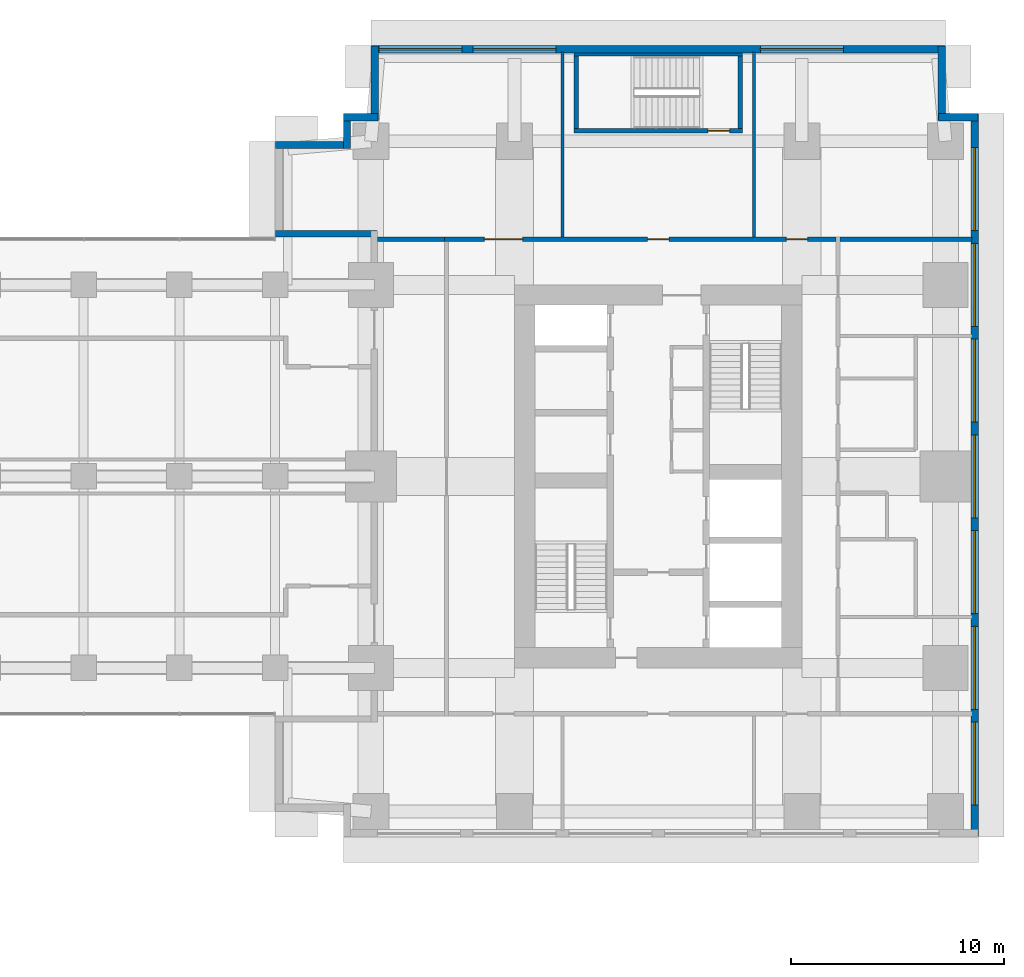
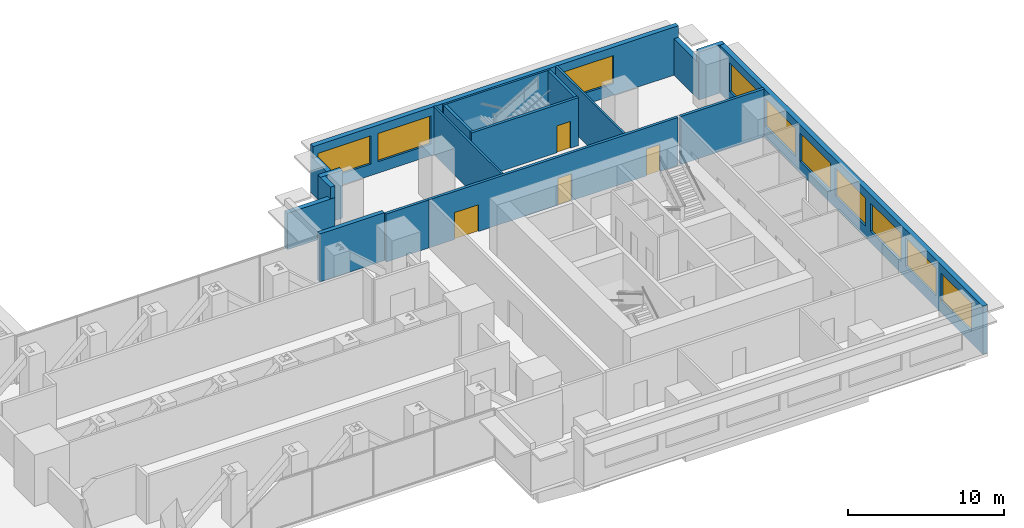
# One storey, part 12 of 16: 18 walls, 10 windows, 4 doors, 14 openings.
"""IFC4 building model written with IfcOpenShell, lengths in metres."""

from ifc_helpers import new_model, si_unit, direction, frame, frame_2d, origin, place, context, subcontext, project, spatial, rectangle, extrude, material, layer, layer_set, type_object, element, fill, save


model = new_model("IFC4")

# Units and contexts
model_context = context("Model", 3, precision=1e-05, world=origin(), true_north=direction((0.0, 1.0)))
body_context = subcontext(model_context, "Body", "Model", "MODEL_VIEW")
ifc_project = project(units=[si_unit("LENGTHUNIT", "METRE"), si_unit("AREAUNIT", "SQUARE_METRE"), si_unit("VOLUMEUNIT", "CUBIC_METRE"), si_unit("PLANEANGLEUNIT", "RADIAN"), si_unit("MASSUNIT", "GRAM", prefix="KILO")], contexts=[model_context])

# Site, building, storey
site_placement = place(None, origin())
site = spatial("IfcSite", under=ifc_project, at=site_placement, CompositionType="ELEMENT")
building_placement = place(site_placement, origin())
building = spatial("IfcBuilding", under=site, at=building_placement, Name="Namib Vertical Campus", CompositionType="ELEMENT")
storey_placement = place(building_placement, frame((0.0, 0.0, 125.0)))
storey = spatial("IfcBuildingStorey", under=building, at=storey_placement, Name="L29", CompositionType="ELEMENT", Elevation=125.0)

# Wall, openings, doors
ifc_material_1 = material(Name="Concrete masonry", Category="masonry")
ifc_layer_1 = layer(ifc_material_1, 0.199951171875)
ifc_layer_set_1 = layer_set([ifc_layer_1], Name="Corridor wall 200")
wall_type_1 = type_object("IfcWallType", Name="Corridor wall 200", PredefinedType="SOLIDWALL", material=ifc_layer_set_1)
wall_1_placement = place(storey_placement, frame((89.35009765625, 31.39990234375, 0.0), z_axis=(0.0, 0.0, 1.0), x_axis=(-1.0, 0.0, 0.0)))
wall_1 = element("IfcWall", 1, at=wall_1_placement, inside=storey, type_object=wall_type_1, Name="Corridor wall B L29 CN", PredefinedType="SOLIDWALL", context=body_context, shape_type="SweptSolid", body=[
    extrude(rectangle(XDim=18.400146484375, YDim=0.199951171875, at=frame_2d((9.2001953125, 0.0))), origin(), (0.0, 0.0, 1.0), 3.75),
])
opening_1_placement = place(wall_1_placement, frame((14.72509765625, 0.0, 0.0)))
opening_1 = element("IfcOpeningElement", 2, at=opening_1_placement, cuts=wall_1, Name="Opening CD2", PredefinedType="OPENING", context=body_context, shape_type="SweptSolid", body=[
    extrude(rectangle(XDim=1.800048828125, YDim=2.10009765625, at=frame_2d((0.89990234375, 1.050048828125))), frame((0.0, 0.10986328125, 0.0), z_axis=(0.0, -1.0, 0.0), x_axis=(1.0, 0.0, 0.0)), (0.0, 0.0, 1.0), 0.219970703125),
])
opening_2_placement = place(wall_1_placement, frame((7.85009765625, 0.0, 0.0)))
opening_2 = element("IfcOpeningElement", 3, at=opening_2_placement, cuts=wall_1, Name="Opening CD1", PredefinedType="OPENING", context=body_context, shape_type="SweptSolid", body=[
    extrude(rectangle(XDim=1.0, YDim=2.10009765625, at=frame_2d((0.5, 1.050048828125))), frame((0.0, 0.10986328125, 0.0), z_axis=(0.0, -1.0, 0.0), x_axis=(1.0, 0.0, 0.0)), (0.0, 0.0, 1.0), 0.219970703125),
])
opening_3_placement = place(wall_1_placement, frame((1.324951171875, 0.0, 0.0)))
opening_3 = element("IfcOpeningElement", 4, at=opening_3_placement, cuts=wall_1, Name="Opening CD1", PredefinedType="OPENING", context=body_context, shape_type="SweptSolid", body=[
    extrude(rectangle(XDim=1.0, YDim=2.10009765625, at=frame_2d((0.5, 1.050048828125))), frame((0.0, 0.10986328125, 0.0), z_axis=(0.0, -1.0, 0.0), x_axis=(1.0, 0.0, 0.0)), (0.0, 0.0, 1.0), 0.219970703125),
])
ifc_material_2 = material(Name="Timber fire door leaf", Category="wood")
door_type_1 = type_object("IfcDoorType", Name="Corridor door 1000x2100 20 min", OperationType="SINGLE_SWING_LEFT", PredefinedType="DOOR", material=ifc_material_2)
door_1_placement = place(opening_2_placement, frame((1.0, 0.0, 0.0), z_axis=(0.0, 0.0, 1.0), x_axis=(-1.0, 0.0, 0.0)))
door_1 = element("IfcDoor", 5, at=door_1_placement, inside=storey, type_object=door_type_1, Name="Door CD1 B29-12", OperationType="SINGLE_SWING_RIGHT", OverallHeight=2.10009765625, OverallWidth=1.0, PredefinedType="DOOR", context=body_context, shape_type="SweptSolid", body=[
    extrude(rectangle(XDim=1.0, YDim=2.10009765625, at=frame_2d((0.5, 1.050048828125))), frame((0.0, 0.02490234375, 0.0), z_axis=(0.0, -1.0, 0.0), x_axis=(1.0, 0.0, 0.0)), (0.0, 0.0, 1.0), 0.050048828125),
])
fill(opening_2, door_1)
door_2_placement = place(opening_3_placement, frame((1.0, 0.0, 0.0), z_axis=(0.0, 0.0, 1.0), x_axis=(-1.0, 0.0, 0.0)))
door_2 = element("IfcDoor", 6, at=door_2_placement, inside=storey, type_object=door_type_1, Name="Door CD1 B29-13", OperationType="SINGLE_SWING_LEFT", OverallHeight=2.10009765625, OverallWidth=1.0, PredefinedType="DOOR", context=body_context, shape_type="SweptSolid", body=[
    extrude(rectangle(XDim=1.0, YDim=2.10009765625, at=frame_2d((0.5, 1.050048828125))), frame((0.0, 0.02490234375, 0.0), z_axis=(0.0, -1.0, 0.0), x_axis=(1.0, 0.0, 0.0)), (0.0, 0.0, 1.0), 0.050048828125),
])
fill(opening_3, door_2)
ifc_material_3 = material(Name="Timber fire door leaf", Category="wood")
door_type_2 = type_object("IfcDoorType", Name="Corridor door double 1800x2100 20 min", OperationType="DOUBLE_DOOR_SINGLE_SWING", PredefinedType="DOOR", material=ifc_material_3)
door_3_placement = place(opening_1_placement, frame((1.800048828125, 0.0, 0.0), z_axis=(0.0, 0.0, 1.0), x_axis=(-1.0, 0.0, 0.0)))
door_3 = element("IfcDoor", 7, at=door_3_placement, inside=storey, type_object=door_type_2, Name="Door CD2 B29-11", OperationType="DOUBLE_DOOR_SINGLE_SWING", OverallHeight=2.10009765625, OverallWidth=1.800048828125, PredefinedType="DOOR", context=body_context, shape_type="SweptSolid", body=[
    extrude(rectangle(XDim=1.800048828125, YDim=2.10009765625, at=frame_2d((0.89990234375, 1.050048828125))), frame((0.0, 0.02490234375, 0.0), z_axis=(0.0, -1.0, 0.0), x_axis=(1.0, 0.0, 0.0)), (0.0, 0.0, 1.0), 0.050048828125),
])
fill(opening_1, door_3)

# Walls
wall_2_placement = place(storey_placement, frame((67.800048828125, 31.39990234375, 0.0), z_axis=(0.0, 0.0, 1.0), x_axis=(1.0, 0.0, 0.0)))
element("IfcWall", 8, at=wall_2_placement, inside=storey, type_object=wall_type_1, Name="Partition B L29 BNW", PredefinedType="SOLIDWALL", context=body_context, shape_type="SweptSolid", body=[
    extrude(rectangle(XDim=3.14990234375, YDim=0.199951171875, at=frame_2d((1.574951171875, 0.0))), origin(), (0.0, 0.0, 1.0), 3.75),
])
wall_3_placement = place(storey_placement, frame((89.550048828125, 31.39990234375, 0.0), z_axis=(0.0, 0.0, 1.0), x_axis=(1.0, 0.0, 0.0)))
element("IfcWall", 9, at=wall_3_placement, inside=storey, type_object=wall_type_1, Name="Partition B L29 BNE", PredefinedType="SOLIDWALL", context=body_context, shape_type="SweptSolid", body=[
    extrude(rectangle(XDim=6.199951171875, YDim=0.199951171875, at=frame_2d((3.10009765625, 0.0))), origin(), (0.0, 0.0, 1.0), 3.75),
])

# Wall, openings, windows
ifc_material_4 = material(Name="Concrete C40/50", Category="concrete")
ifc_layer_2 = layer(ifc_material_4, 0.35009765625)
ifc_layer_set_2 = layer_set([ifc_layer_2], Name="Concrete C40/50")
wall_type_2 = type_object("IfcWallType", Name="External wall 350 bush-hammered concrete", PredefinedType="STANDARD", material=ifc_layer_set_2)
wall_4_placement = place(storey_placement, frame((95.875, 3.320068359375, 0.0), z_axis=(0.0, 0.0, 1.0), x_axis=(0.0, 1.0, 0.0)))
wall_4 = element("IfcWall", 10, at=wall_4_placement, inside=storey, type_object=wall_type_2, Name="External wall L29 F05", PredefinedType="STANDARD", context=body_context, shape_type="SweptSolid", body=[
    extrude(rectangle(XDim=33.9599609375, YDim=0.35009765625, at=frame_2d((16.97998046875, 0.0))), origin(), (0.0, 0.0, 1.0), 3.75),
])
opening_4_placement = place(wall_4_placement, frame((1.47998046875, 0.0, 0.89990234375)))
opening_4 = element("IfcOpeningElement", 11, at=opening_4_placement, cuts=wall_4, Name="Opening W1", PredefinedType="OPENING", context=body_context, shape_type="SweptSolid", body=[
    extrude(rectangle(XDim=3.89990234375, YDim=2.199951171875, at=frame_2d((1.949951171875, 1.10009765625))), frame((0.0, 0.18505859375, 0.0), z_axis=(0.0, -1.0, 0.0), x_axis=(1.0, 0.0, 0.0)), (0.0, 0.0, 1.0), 0.3701171875),
])
opening_5_placement = place(wall_4_placement, frame((5.97998046875, 0.0, 0.89990234375)))
opening_5 = element("IfcOpeningElement", 12, at=opening_5_placement, cuts=wall_4, Name="Opening W1", PredefinedType="OPENING", context=body_context, shape_type="SweptSolid", body=[
    extrude(rectangle(XDim=3.89990234375, YDim=2.199951171875, at=frame_2d((1.949951171875, 1.10009765625))), frame((0.0, 0.18505859375, 0.0), z_axis=(0.0, -1.0, 0.0), x_axis=(1.0, 0.0, 0.0)), (0.0, 0.0, 1.0), 0.3701171875),
])
opening_6_placement = place(wall_4_placement, frame((10.47998046875, 0.0, 0.89990234375)))
opening_6 = element("IfcOpeningElement", 13, at=opening_6_placement, cuts=wall_4, Name="Opening W1", PredefinedType="OPENING", context=body_context, shape_type="SweptSolid", body=[
    extrude(rectangle(XDim=3.89990234375, YDim=2.199951171875, at=frame_2d((1.949951171875, 1.10009765625))), frame((0.0, 0.18505859375, 0.0), z_axis=(0.0, -1.0, 0.0), x_axis=(1.0, 0.0, 0.0)), (0.0, 0.0, 1.0), 0.3701171875),
])
opening_7_placement = place(wall_4_placement, frame((14.97998046875, 0.0, 0.89990234375)))
opening_7 = element("IfcOpeningElement", 14, at=opening_7_placement, cuts=wall_4, Name="Opening W1", PredefinedType="OPENING", context=body_context, shape_type="SweptSolid", body=[
    extrude(rectangle(XDim=3.89990234375, YDim=2.199951171875, at=frame_2d((1.949951171875, 1.10009765625))), frame((0.0, 0.18505859375, 0.0), z_axis=(0.0, -1.0, 0.0), x_axis=(1.0, 0.0, 0.0)), (0.0, 0.0, 1.0), 0.3701171875),
])
opening_8_placement = place(wall_4_placement, frame((19.47998046875, 0.0, 0.89990234375)))
opening_8 = element("IfcOpeningElement", 15, at=opening_8_placement, cuts=wall_4, Name="Opening W1", PredefinedType="OPENING", context=body_context, shape_type="SweptSolid", body=[
    extrude(rectangle(XDim=3.89990234375, YDim=2.199951171875, at=frame_2d((1.949951171875, 1.10009765625))), frame((0.0, 0.18505859375, 0.0), z_axis=(0.0, -1.0, 0.0), x_axis=(1.0, 0.0, 0.0)), (0.0, 0.0, 1.0), 0.3701171875),
])
opening_9_placement = place(wall_4_placement, frame((23.97998046875, 0.0, 0.89990234375)))
opening_9 = element("IfcOpeningElement", 16, at=opening_9_placement, cuts=wall_4, Name="Opening W1", PredefinedType="OPENING", context=body_context, shape_type="SweptSolid", body=[
    extrude(rectangle(XDim=3.89990234375, YDim=2.199951171875, at=frame_2d((1.949951171875, 1.10009765625))), frame((0.0, 0.18505859375, 0.0), z_axis=(0.0, -1.0, 0.0), x_axis=(1.0, 0.0, 0.0)), (0.0, 0.0, 1.0), 0.3701171875),
])
opening_10_placement = place(wall_4_placement, frame((28.47998046875, 0.0, 0.89990234375)))
opening_10 = element("IfcOpeningElement", 17, at=opening_10_placement, cuts=wall_4, Name="Opening W1", PredefinedType="OPENING", context=body_context, shape_type="SweptSolid", body=[
    extrude(rectangle(XDim=3.89990234375, YDim=2.199951171875, at=frame_2d((1.949951171875, 1.10009765625))), frame((0.0, 0.18505859375, 0.0), z_axis=(0.0, -1.0, 0.0), x_axis=(1.0, 0.0, 0.0)), (0.0, 0.0, 1.0), 0.3701171875),
])
ifc_material_5 = material(Name="Dark tinted glass in black aluminium frame", Category="aluminium")
window_type = type_object("IfcWindowType", Name="Ribbon window 3900x2200", PartitioningType="SINGLE_PANEL", PredefinedType="WINDOW", material=ifc_material_5)
window_1_placement = place(opening_4_placement, origin())
window_1 = element("IfcWindow", 18, at=window_1_placement, inside=storey, type_object=window_type, Name="Window W1 L29 F05-1", OverallHeight=2.199951171875, OverallWidth=3.89990234375, PartitioningType="SINGLE_PANEL", PredefinedType="WINDOW", context=body_context, shape_type="SweptSolid", body=[
    extrude(rectangle(XDim=3.89990234375, YDim=2.199951171875, at=frame_2d((1.949951171875, 1.10009765625))), frame((0.0, 0.030029296875, 0.0), z_axis=(0.0, -1.0, 0.0), x_axis=(1.0, 0.0, 0.0)), (0.0, 0.0, 1.0), 0.06005859375),
])
fill(opening_4, window_1)
window_2_placement = place(opening_5_placement, origin())
window_2 = element("IfcWindow", 19, at=window_2_placement, inside=storey, type_object=window_type, Name="Window W1 L29 F05-2", OverallHeight=2.199951171875, OverallWidth=3.89990234375, PartitioningType="SINGLE_PANEL", PredefinedType="WINDOW", context=body_context, shape_type="SweptSolid", body=[
    extrude(rectangle(XDim=3.89990234375, YDim=2.199951171875, at=frame_2d((1.949951171875, 1.10009765625))), frame((0.0, 0.030029296875, 0.0), z_axis=(0.0, -1.0, 0.0), x_axis=(1.0, 0.0, 0.0)), (0.0, 0.0, 1.0), 0.06005859375),
])
fill(opening_5, window_2)
window_3_placement = place(opening_6_placement, origin())
window_3 = element("IfcWindow", 20, at=window_3_placement, inside=storey, type_object=window_type, Name="Window W1 L29 F05-3", OverallHeight=2.199951171875, OverallWidth=3.89990234375, PartitioningType="SINGLE_PANEL", PredefinedType="WINDOW", context=body_context, shape_type="SweptSolid", body=[
    extrude(rectangle(XDim=3.89990234375, YDim=2.199951171875, at=frame_2d((1.949951171875, 1.10009765625))), frame((0.0, 0.030029296875, 0.0), z_axis=(0.0, -1.0, 0.0), x_axis=(1.0, 0.0, 0.0)), (0.0, 0.0, 1.0), 0.06005859375),
])
fill(opening_6, window_3)
window_4_placement = place(opening_7_placement, origin())
window_4 = element("IfcWindow", 21, at=window_4_placement, inside=storey, type_object=window_type, Name="Window W1 L29 F05-4", OverallHeight=2.199951171875, OverallWidth=3.89990234375, PartitioningType="SINGLE_PANEL", PredefinedType="WINDOW", context=body_context, shape_type="SweptSolid", body=[
    extrude(rectangle(XDim=3.89990234375, YDim=2.199951171875, at=frame_2d((1.949951171875, 1.10009765625))), frame((0.0, 0.030029296875, 0.0), z_axis=(0.0, -1.0, 0.0), x_axis=(1.0, 0.0, 0.0)), (0.0, 0.0, 1.0), 0.06005859375),
])
fill(opening_7, window_4)
window_5_placement = place(opening_8_placement, origin())
window_5 = element("IfcWindow", 22, at=window_5_placement, inside=storey, type_object=window_type, Name="Window W1 L29 F05-5", OverallHeight=2.199951171875, OverallWidth=3.89990234375, PartitioningType="SINGLE_PANEL", PredefinedType="WINDOW", context=body_context, shape_type="SweptSolid", body=[
    extrude(rectangle(XDim=3.89990234375, YDim=2.199951171875, at=frame_2d((1.949951171875, 1.10009765625))), frame((0.0, 0.030029296875, 0.0), z_axis=(0.0, -1.0, 0.0), x_axis=(1.0, 0.0, 0.0)), (0.0, 0.0, 1.0), 0.06005859375),
])
fill(opening_8, window_5)
window_6_placement = place(opening_9_placement, origin())
window_6 = element("IfcWindow", 23, at=window_6_placement, inside=storey, type_object=window_type, Name="Window W1 L29 F05-6", OverallHeight=2.199951171875, OverallWidth=3.89990234375, PartitioningType="SINGLE_PANEL", PredefinedType="WINDOW", context=body_context, shape_type="SweptSolid", body=[
    extrude(rectangle(XDim=3.89990234375, YDim=2.199951171875, at=frame_2d((1.949951171875, 1.10009765625))), frame((0.0, 0.030029296875, 0.0), z_axis=(0.0, -1.0, 0.0), x_axis=(1.0, 0.0, 0.0)), (0.0, 0.0, 1.0), 0.06005859375),
])
fill(opening_9, window_6)
window_7_placement = place(opening_10_placement, origin())
window_7 = element("IfcWindow", 24, at=window_7_placement, inside=storey, type_object=window_type, Name="Window W1 L29 F05-7", OverallHeight=2.199951171875, OverallWidth=3.89990234375, PartitioningType="SINGLE_PANEL", PredefinedType="WINDOW", context=body_context, shape_type="SweptSolid", body=[
    extrude(rectangle(XDim=3.89990234375, YDim=2.199951171875, at=frame_2d((1.949951171875, 1.10009765625))), frame((0.0, 0.030029296875, 0.0), z_axis=(0.0, -1.0, 0.0), x_axis=(1.0, 0.0, 0.0)), (0.0, 0.0, 1.0), 0.06005859375),
])
fill(opening_10, window_7)

# Walls
wall_5_placement = place(storey_placement, frame((96.030029296875, 37.125, 0.0), z_axis=(0.0, 0.0, 1.0), x_axis=(-1.0, 0.0, 0.0)))
element("IfcWall", 25, at=wall_5_placement, inside=storey, type_object=wall_type_2, Name="External wall L29 F06", PredefinedType="STANDARD", context=body_context, shape_type="SweptSolid", body=[
    extrude(rectangle(XDim=1.860107421875, YDim=0.35009765625, at=frame_2d((0.93017578125, 0.0))), origin(), (0.0, 0.0, 1.0), 3.75),
])
wall_6_placement = place(storey_placement, frame((94.324951171875, 36.969970703125, 0.0), z_axis=(0.0, 0.0, 1.0), x_axis=(0.0, 1.0, 0.0)))
element("IfcWall", 26, at=wall_6_placement, inside=storey, type_object=wall_type_2, Name="External wall L29 F07", PredefinedType="STANDARD", context=body_context, shape_type="SweptSolid", body=[
    extrude(rectangle(XDim=3.510009765625, YDim=0.35009765625, at=frame_2d((1.7548828125, 0.0))), origin(), (0.0, 0.0, 1.0), 2.85009765625),
])

# Wall, openings, windows
wall_7_placement = place(storey_placement, frame((94.47998046875, 40.324951171875, 0.0), z_axis=(0.0, 0.0, 1.0), x_axis=(-1.0, 0.0, 0.0)))
wall_7 = element("IfcWall", 27, at=wall_7_placement, inside=storey, type_object=wall_type_2, Name="External wall L29 F08", PredefinedType="STANDARD", context=body_context, shape_type="SweptSolid", body=[
    extrude(rectangle(XDim=26.9599609375, YDim=0.35009765625, at=frame_2d((13.47998046875, 0.0))), origin(), (0.0, 0.0, 1.0), 3.75),
])
opening_11_placement = place(wall_7_placement, frame((22.7099609375, 0.0, 0.89990234375)))
opening_11 = element("IfcOpeningElement", 28, at=opening_11_placement, cuts=wall_7, Name="Opening W1", PredefinedType="OPENING", context=body_context, shape_type="SweptSolid", body=[
    extrude(rectangle(XDim=3.89990234375, YDim=2.199951171875, at=frame_2d((1.949951171875, 1.10009765625))), frame((0.0, 0.18505859375, 0.0), z_axis=(0.0, -1.0, 0.0), x_axis=(1.0, 0.0, 0.0)), (0.0, 0.0, 1.0), 0.3701171875),
])
opening_12_placement = place(wall_7_placement, frame((18.280029296875, 0.0, 0.89990234375)))
opening_12 = element("IfcOpeningElement", 29, at=opening_12_placement, cuts=wall_7, Name="Opening W1", PredefinedType="OPENING", context=body_context, shape_type="SweptSolid", body=[
    extrude(rectangle(XDim=3.89990234375, YDim=2.199951171875, at=frame_2d((1.949951171875, 1.10009765625))), frame((0.0, 0.18505859375, 0.0), z_axis=(0.0, -1.0, 0.0), x_axis=(1.0, 0.0, 0.0)), (0.0, 0.0, 1.0), 0.3701171875),
])
opening_13_placement = place(wall_7_placement, frame((4.780029296875, 0.0, 0.89990234375)))
opening_13 = element("IfcOpeningElement", 30, at=opening_13_placement, cuts=wall_7, Name="Opening W1", PredefinedType="OPENING", context=body_context, shape_type="SweptSolid", body=[
    extrude(rectangle(XDim=3.89990234375, YDim=2.199951171875, at=frame_2d((1.949951171875, 1.10009765625))), frame((0.0, 0.18505859375, 0.0), z_axis=(0.0, -1.0, 0.0), x_axis=(1.0, 0.0, 0.0)), (0.0, 0.0, 1.0), 0.3701171875),
])
window_8_placement = place(opening_11_placement, origin())
window_8 = element("IfcWindow", 31, at=window_8_placement, inside=storey, type_object=window_type, Name="Window W1 L29 F08-1", OverallHeight=2.199951171875, OverallWidth=3.89990234375, PartitioningType="SINGLE_PANEL", PredefinedType="WINDOW", context=body_context, shape_type="SweptSolid", body=[
    extrude(rectangle(XDim=3.89990234375, YDim=2.199951171875, at=frame_2d((1.949951171875, 1.10009765625))), frame((0.0, 0.030029296875, 0.0), z_axis=(0.0, -1.0, 0.0), x_axis=(1.0, 0.0, 0.0)), (0.0, 0.0, 1.0), 0.06005859375),
])
fill(opening_11, window_8)
window_9_placement = place(opening_12_placement, origin())
window_9 = element("IfcWindow", 32, at=window_9_placement, inside=storey, type_object=window_type, Name="Window W1 L29 F08-2", OverallHeight=2.199951171875, OverallWidth=3.89990234375, PartitioningType="SINGLE_PANEL", PredefinedType="WINDOW", context=body_context, shape_type="SweptSolid", body=[
    extrude(rectangle(XDim=3.89990234375, YDim=2.199951171875, at=frame_2d((1.949951171875, 1.10009765625))), frame((0.0, 0.030029296875, 0.0), z_axis=(0.0, -1.0, 0.0), x_axis=(1.0, 0.0, 0.0)), (0.0, 0.0, 1.0), 0.06005859375),
])
fill(opening_12, window_9)
window_10_placement = place(opening_13_placement, origin())
window_10 = element("IfcWindow", 33, at=window_10_placement, inside=storey, type_object=window_type, Name="Window W1 L29 F08-5", OverallHeight=2.199951171875, OverallWidth=3.89990234375, PartitioningType="SINGLE_PANEL", PredefinedType="WINDOW", context=body_context, shape_type="SweptSolid", body=[
    extrude(rectangle(XDim=3.89990234375, YDim=2.199951171875, at=frame_2d((1.949951171875, 1.10009765625))), frame((0.0, 0.030029296875, 0.0), z_axis=(0.0, -1.0, 0.0), x_axis=(1.0, 0.0, 0.0)), (0.0, 0.0, 1.0), 0.06005859375),
])
fill(opening_13, window_10)

# Walls
wall_8_placement = place(storey_placement, frame((67.675048828125, 40.47998046875, 0.0), z_axis=(0.0, 0.0, 1.0), x_axis=(0.0, -1.0, 0.0)))
element("IfcWall", 34, at=wall_8_placement, inside=storey, type_object=wall_type_2, Name="External wall L29 F09", PredefinedType="STANDARD", context=body_context, shape_type="SweptSolid", body=[
    extrude(rectangle(XDim=3.510009765625, YDim=0.35009765625, at=frame_2d((1.7548828125, 0.0))), origin(), (0.0, 0.0, 1.0), 2.85009765625),
])
for number, where, z_axis, x_axis, name in (
    (35, (67.830078125, 37.125, 0.0), (0.0, 0.0, 1.0), (-1.0, 0.0, 0.0), "External wall L29 F10"),
    (36, (66.375, 37.280029296875, 0.0), (0.0, 0.0, 1.0), (0.0, -1.0, 0.0), "External wall L29 F11"),
):
    element("IfcWall", number, at=place(storey_placement, frame(where, z_axis=z_axis, x_axis=x_axis)), inside=storey, type_object=wall_type_2, Name=name, PredefinedType="STANDARD", context=body_context, shape_type="SweptSolid", body=[
        extrude(rectangle(XDim=1.610107421875, YDim=0.35009765625, at=frame_2d((0.80517578125, 0.0))), origin(), (0.0, 0.0, 1.0), 3.75),
    ])
wall_9_placement = place(storey_placement, frame((66.530029296875, 35.824951171875, 0.0), z_axis=(0.0, 0.0, 1.0), x_axis=(-1.0, 0.0, 0.0)))
element("IfcWall", 37, at=wall_9_placement, inside=storey, type_object=wall_type_2, Name="External wall L29 F12", PredefinedType="STANDARD", context=body_context, shape_type="SweptSolid", body=[
    extrude(rectangle(XDim=3.510009765625, YDim=0.35009765625, at=frame_2d((1.7548828125, 0.0))), origin(), (0.0, 0.0, 1.0), 2.85009765625),
])
ifc_material_6 = material(Name="Concrete masonry", Category="masonry")
ifc_layer_3 = layer(ifc_material_6, 0.300048828125)
ifc_layer_set_3 = layer_set([ifc_layer_3], Name="Fire wall 300")
wall_type_3 = type_object("IfcWallType", Name="Fire wall 300", PredefinedType="SOLIDWALL", material=ifc_layer_set_3)
wall_10_placement = place(storey_placement, frame((63.02001953125, 31.64990234375, 0.0), z_axis=(0.0, 0.0, 1.0), x_axis=(1.0, 0.0, 0.0)))
element("IfcWall", 38, at=wall_10_placement, inside=storey, type_object=wall_type_3, Name="External wall L29 F14", PredefinedType="SOLIDWALL", context=body_context, shape_type="SweptSolid", body=[
    extrude(rectangle(XDim=4.760009765625, YDim=0.300048828125, at=frame_2d((2.3798828125, 0.0))), origin(), (0.0, 0.0, 1.0), 3.75),
])
ifc_material_7 = material(Name="Gypsum board on steel studs", Category="steel")
ifc_layer_4 = layer(ifc_material_7, 0.14990234375)
ifc_layer_set_4 = layer_set([ifc_layer_4], Name="Gypsum board on steel studs")
wall_type_4 = type_object("IfcWallType", Name="Partition 150", PredefinedType="PARTITIONING", material=ifc_layer_set_4)
for number, where, z_axis, x_axis, name in (
    (39, (76.5, 31.5, 0.0), (0.0, 0.0, 1.0), (0.0, 1.0, 0.0), "Partition B L29 PN1"),
    (40, (85.5, 31.5, 0.0), (0.0, 0.0, 1.0), (0.0, 1.0, 0.0), "Partition B L29 PN2"),
):
    element("IfcWall", number, at=place(storey_placement, frame(where, z_axis=z_axis, x_axis=x_axis)), inside=storey, type_object=wall_type_4, Name=name, PredefinedType="PARTITIONING", context=body_context, shape_type="SweptSolid", body=[
        extrude(rectangle(XDim=8.699951171875, YDim=0.14990234375, at=frame_2d((4.35009765625, 0.0))), origin(), (0.0, 0.0, 1.0), 3.75),
    ])
ifc_material_8 = material(Name="Concrete C40/50", Category="concrete")
ifc_layer_5 = layer(ifc_material_8, 0.14990234375)
ifc_layer_set_5 = layer_set([ifc_layer_5], Name="Concrete C40/50")
wall_type_5 = type_object("IfcWallType", Name="Stair enclosure wall RC 150", PredefinedType="SOLIDWALL", material=ifc_layer_set_5)
wall_11_placement = place(storey_placement, frame((77.050048828125, 40.074951171875, 0.0), z_axis=(0.0, 0.0, 1.0), x_axis=(1.0, 0.0, 0.0)))
element("IfcWall", 41, at=wall_11_placement, inside=storey, type_object=wall_type_5, Name="Stair enclosure wall B-S3 L29 N", PredefinedType="SOLIDWALL", context=body_context, shape_type="SweptSolid", body=[
    extrude(rectangle(XDim=7.89990234375, YDim=0.14990234375, at=frame_2d((3.949951171875, 0.0))), origin(), (0.0, 0.0, 1.0), 3.75),
])

# Wall, opening, door
ifc_material_9 = material(Name="Concrete C40/50", Category="concrete")
ifc_layer_6 = layer(ifc_material_9, 0.199951171875)
ifc_layer_set_6 = layer_set([ifc_layer_6], Name="Concrete C40/50")
wall_type_6 = type_object("IfcWallType", Name="Stair enclosure wall RC 200", PredefinedType="SOLIDWALL", material=ifc_layer_set_6)
wall_12_placement = place(storey_placement, frame((77.050048828125, 36.5, 0.0), z_axis=(0.0, 0.0, 1.0), x_axis=(1.0, 0.0, 0.0)))
wall_12 = element("IfcWall", 42, at=wall_12_placement, inside=storey, type_object=wall_type_6, Name="Stair enclosure wall B-S3 L29 S", PredefinedType="SOLIDWALL", context=body_context, shape_type="SweptSolid", body=[
    extrude(rectangle(XDim=7.89990234375, YDim=0.199951171875, at=frame_2d((3.949951171875, 0.0))), origin(), (0.0, 0.0, 1.0), 3.75),
])
opening_14_placement = place(wall_12_placement, frame((6.300048828125, 0.0, 0.0)))
opening_14 = element("IfcOpeningElement", 43, at=opening_14_placement, cuts=wall_12, Name="Opening FD1", PredefinedType="OPENING", context=body_context, shape_type="SweptSolid", body=[
    extrude(rectangle(XDim=1.0, YDim=2.10009765625, at=frame_2d((0.5, 1.050048828125))), frame((0.0, 0.10986328125, 0.0), z_axis=(0.0, -1.0, 0.0), x_axis=(1.0, 0.0, 0.0)), (0.0, 0.0, 1.0), 0.219970703125),
])
ifc_material_10 = material(Name="Steel fire door", Category="steel")
door_type_3 = type_object("IfcDoorType", Name="Fire door 1000x2100", OperationType="SINGLE_SWING_RIGHT", PredefinedType="DOOR", material=ifc_material_10)
door_4_placement = place(opening_14_placement, origin())
door_4 = element("IfcDoor", 44, at=door_4_placement, inside=storey, type_object=door_type_3, Name="Stair door FD1 B L29 S3", OperationType="SINGLE_SWING_RIGHT", OverallHeight=2.10009765625, OverallWidth=1.0, PredefinedType="DOOR", context=body_context, shape_type="SweptSolid", body=[
    extrude(rectangle(XDim=1.0, YDim=2.10009765625, at=frame_2d((0.5, 1.050048828125))), frame((0.0, 0.02490234375, 0.0), z_axis=(0.0, -1.0, 0.0), x_axis=(1.0, 0.0, 0.0)), (0.0, 0.0, 1.0), 0.050048828125),
])
fill(opening_14, door_4)

# Walls
for number, where, z_axis, x_axis, name in (
    (45, (77.14990234375, 36.60009765625, 0.0), (0.0, 0.0, 1.0), (0.0, 1.0, 0.0), "Stair enclosure wall B-S3 L29 W"),
    (46, (84.85009765625, 36.60009765625, 0.0), (0.0, 0.0, 1.0), (0.0, 1.0, 0.0), "Stair enclosure wall B-S3 L29 E"),
):
    element("IfcWall", number, at=place(storey_placement, frame(where, z_axis=z_axis, x_axis=x_axis)), inside=storey, type_object=wall_type_6, Name=name, PredefinedType="SOLIDWALL", context=body_context, shape_type="SweptSolid", body=[
        extrude(rectangle(XDim=3.39990234375, YDim=0.199951171875, at=frame_2d((1.699951171875, 0.0))), origin(), (0.0, 0.0, 1.0), 3.75),
    ])

save(model, "model.ifc")
